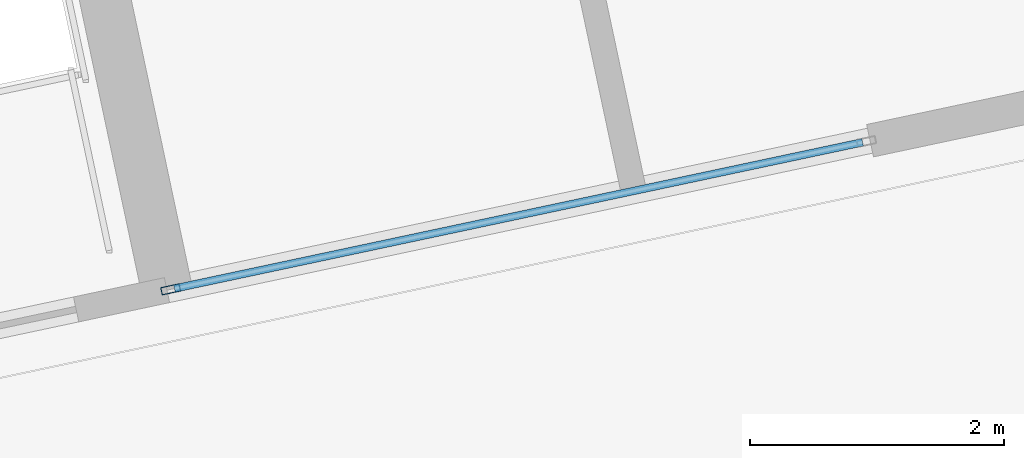
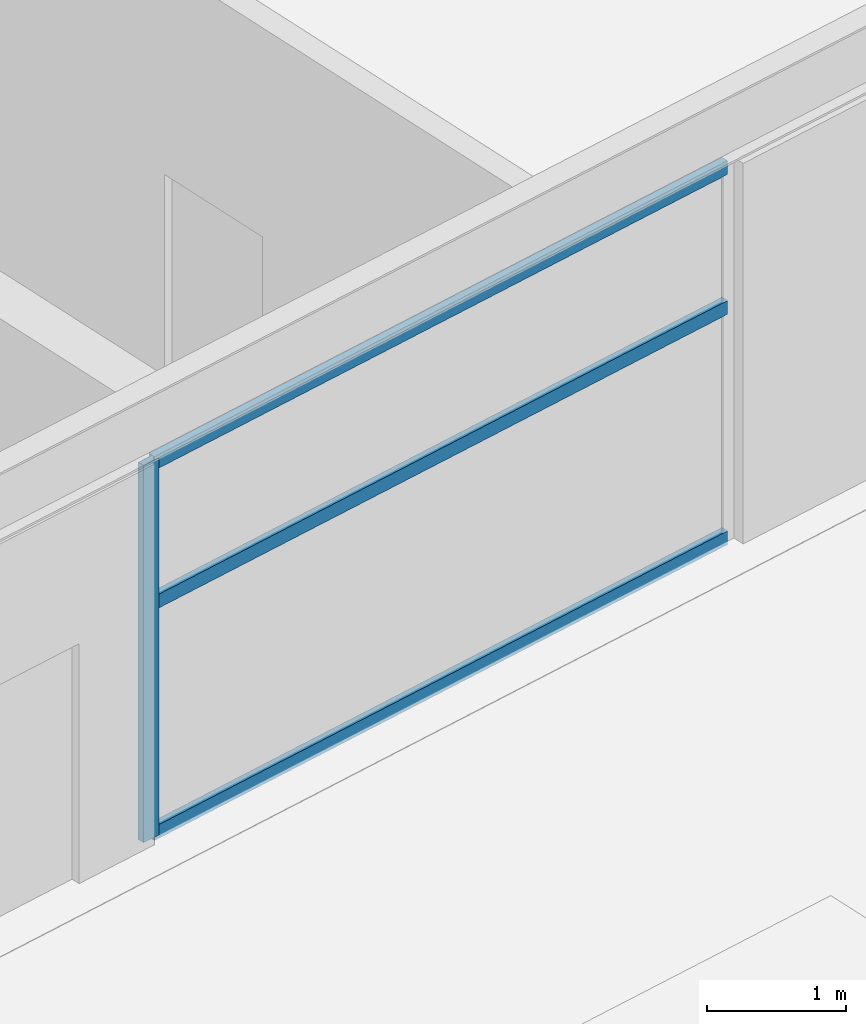
# One storey, part 4 of 16: 4 members, 1 element without a shape of its own.
"""IFC4 building model written with IfcOpenShell, lengths in metres."""

import ifcopenshell
import ifcopenshell.guid

model = None  # the IFC model being written
_history = None  # IfcOwnerHistory: only IFC2X3 demands one
_inside = {}  # id of a spatial element -> (the spatial element, [elements in it])
_under = {}  # id of a project, library or spatial element -> (it, [spatial elements below it])
_declared = {}  # id of a project -> (the project, [libraries it declares])
_typed = {}  # id of a type object -> (the type object, [elements of that type])
_made_of = {}  # id of a material, layer set ... -> (it, [elements and type objects made of it])


def new_model(schema):
    """Start an empty IFC model of exactly this schema.

    Asked for "IFC4X3", IfcOpenShell would pick the latest addendum, in which some entities
    have other attributes; the version numbers below select the first issue.
    IFC2X3 requires an IfcOwnerHistory on every rooted entity: one is made here for all.
    """
    global model, _history
    if schema == "IFC4X3":
        model = ifcopenshell.file(schema_version=(4, 3, 0, 0))
    else:
        model = ifcopenshell.file(schema=schema)
    _inside.clear()
    _under.clear()
    _declared.clear()
    _typed.clear()
    _made_of.clear()
    _history = None
    if model.schema == "IFC2X3":
        org = make("IfcOrganization", Name="unknown")
        user = make(
            "IfcPersonAndOrganization",
            ThePerson=make("IfcPerson", FamilyName="unknown"),
            TheOrganization=org,
        )
        app = make(
            "IfcApplication",
            ApplicationDeveloper=org,
            Version="unknown",
            ApplicationFullName="unknown",
            ApplicationIdentifier="unknown",
        )
        _history = make(
            "IfcOwnerHistory",
            OwningUser=user,
            OwningApplication=app,
            ChangeAction="ADDED",
            CreationDate=0,
        )
    return model


def make(cls, **values):
    """One entity of the class cls with the attributes given. An attribute that is None is left unset."""
    return model.create_entity(
        cls, **{name: value for name, value in values.items() if value is not None}
    )


def rooted(cls, **values):
    """An entity with a GlobalId (a new one), such as an element, a storey or a relation."""
    return make(cls, GlobalId=ifcopenshell.guid.new(), OwnerHistory=_history, **values)


def si_unit(unit_type, name, prefix=None):
    """IfcSIUnit, for example si_unit("LENGTHUNIT", "METRE", prefix="MILLI")."""
    return make("IfcSIUnit", UnitType=unit_type, Prefix=prefix, Name=name)


def assignment(units):
    """IfcUnitAssignment: the units of a project."""
    return None if units is None else make("IfcUnitAssignment", Units=units)


def point(xyz):
    """IfcCartesianPoint."""
    return None if xyz is None else make("IfcCartesianPoint", Coordinates=xyz)


def direction(xyz):
    """IfcDirection."""
    return None if xyz is None else make("IfcDirection", DirectionRatios=xyz)


def frame(location, z_axis=None, x_axis=None):
    """IfcAxis2Placement3D, a coordinate frame: its origin and axes. An axis left out is left unset."""
    return make(
        "IfcAxis2Placement3D",
        Location=point(location),
        Axis=direction(z_axis),
        RefDirection=direction(x_axis),
    )


def frame_2d(location, x_axis=None):
    """IfcAxis2Placement2D, a coordinate frame in the plane: its origin and x axis."""
    return make(
        "IfcAxis2Placement2D", Location=point(location), RefDirection=direction(x_axis)
    )


def origin():
    """The frame at (0, 0, 0) with its axes left unset."""
    return frame((0.0, 0.0, 0.0))


def origin_2d():
    """The frame at (0, 0) in the plane with its x axis left unset."""
    return frame_2d((0.0, 0.0))


def place(relative_to, where):
    """IfcLocalPlacement: puts the frame where relative to a parent placement (None: the world)."""
    return make(
        "IfcLocalPlacement", PlacementRelTo=relative_to, RelativePlacement=where
    )


def context(
    kind, dimensions, precision=None, world=None, true_north=None, identifier=None
):
    """IfcGeometricRepresentationContext, for example the 3D "Model" context."""
    return make(
        "IfcGeometricRepresentationContext",
        ContextIdentifier=identifier,
        ContextType=kind,
        CoordinateSpaceDimension=dimensions,
        Precision=precision,
        WorldCoordinateSystem=world,
        TrueNorth=true_north,
    )


def subcontext(parent, identifier, kind, view, scale=None):
    """IfcGeometricRepresentationSubContext, for example "Body" below "Model"."""
    return make(
        "IfcGeometricRepresentationSubContext",
        ContextIdentifier=identifier,
        ContextType=kind,
        ParentContext=parent,
        TargetScale=scale,
        TargetView=view,
    )


def project(units=None, contexts=None):
    """IfcProject with its units and contexts."""
    return rooted(
        "IfcProject",
        Name="project",
        RepresentationContexts=contexts,
        UnitsInContext=assignment(units),
    )


def spatial(cls, under=None, at=None, **own):
    """A site, building, storey or space (cls), placed at a placement, below another one or the project."""
    s = rooted(cls, ObjectPlacement=at, **own)
    if under is not None:
        _under.setdefault(under.id(), (under, []))[1].append(s)
    return s


def profile(cls, at=None, kind="AREA", **sizes):
    """A parametric profile (cls). Its sizes go by their IFC names, for example OverallWidth=200.0."""
    return make(cls, ProfileType=kind, Position=at, **sizes)


def hollow_rectangle(**sizes):
    """IfcRectangleHollowProfileDef."""
    return profile("IfcRectangleHollowProfileDef", **sizes)


def extrude(swept, where, along, depth):
    """IfcExtrudedAreaSolid: the profile swept, set in the frame where, extruded along a direction by depth."""
    return make(
        "IfcExtrudedAreaSolid",
        SweptArea=swept,
        Position=where,
        ExtrudedDirection=direction(along),
        Depth=depth,
    )


def shape(context_of_items, identifier, shape_type, items):
    """IfcShapeRepresentation: the items that make up one representation, for example the "Body"."""
    return make(
        "IfcShapeRepresentation",
        ContextOfItems=context_of_items,
        RepresentationIdentifier=identifier,
        RepresentationType=shape_type,
        Items=items,
    )


def material(Name=None, Category=None):
    """IfcMaterial."""
    return make("IfcMaterial", Name=Name, Category=Category)


def layer(
    of_material, thickness, ventilated=None, Name=None, Category=None, Priority=None
):
    """IfcMaterialLayer: one layer of a wall or slab, of a material (None: an air gap)."""
    return make(
        "IfcMaterialLayer",
        Material=of_material,
        LayerThickness=thickness,
        IsVentilated=ventilated,
        Name=Name,
        Category=Category,
        Priority=Priority,
    )


def layer_set(layers, Name=None):
    """IfcMaterialLayerSet."""
    return make("IfcMaterialLayerSet", MaterialLayers=layers, LayerSetName=Name)


def material_profile(
    of_material, cross_section, Name=None, Category=None, Priority=None
):
    """IfcMaterialProfile: a cross section and its material."""
    return make(
        "IfcMaterialProfile",
        Name=Name,
        Material=of_material,
        Profile=cross_section,
        Priority=Priority,
        Category=Category,
    )


def profile_set(profiles, Name=None, composite=None):
    """IfcMaterialProfileSet."""
    return make(
        "IfcMaterialProfileSet",
        Name=Name,
        MaterialProfiles=profiles,
        CompositeProfile=composite,
    )


def made_of(thing, what):
    """Note that an element or type object is made of a material, layer set ...; save() writes the relation."""
    if what is not None:
        _made_of.setdefault(what.id(), (what, []))[1].append(thing)
    return thing


def type_object(cls, material=None, **own):
    """A type object (cls), such as IfcWallType, which elements share."""
    return made_of(rooted(cls, **own), material)


def element(
    cls,
    number,
    at=None,
    inside=None,
    cuts=None,
    type_object=None,
    material=None,
    context=None,
    identifier="Body",
    shape_type=None,
    held_by="IfcProductDefinitionShape",
    body=None,
    shapes=None,
    **own,
):
    """One element of the class cls, such as IfcWall. Its Tag is "e" and its number.

    at: its placement. inside: the storey or other place that contains it. cuts: it is an
    opening in that element (IfcRelVoidsElement). A single representation is given by context,
    identifier, shape_type and body (its items); several are given by shapes. held_by: the class
    of the entity that holds the representations. save() writes the other relations.
    """
    e = rooted(cls, Tag="e%d" % number, ObjectPlacement=at, **own)
    if body is not None:
        shapes = [shape(context, identifier, shape_type, body)]
    if shapes is not None:
        e.Representation = make(held_by, Representations=shapes)
    if inside is not None:
        _inside.setdefault(inside.id(), (inside, []))[1].append(e)
    if cuts is not None:
        rooted(
            "IfcRelVoidsElement", RelatingBuildingElement=cuts, RelatedOpeningElement=e
        )
    if type_object is not None:
        _typed.setdefault(type_object.id(), (type_object, []))[1].append(e)
    return made_of(e, material)


def aggregate(whole, parts):
    """IfcRelAggregates: a whole, such as a stair, and the parts it consists of."""
    return rooted("IfcRelAggregates", RelatingObject=whole, RelatedObjects=parts)


def save(model, path):
    """Write the relations noted so far, then the file.

    IfcRelAggregates (storeys below a building ...), IfcRelContainedInSpatialStructure (elements
    in a storey), IfcRelDefinesByType, IfcRelAssociatesMaterial and IfcRelDeclares: one each for
    every whole, place, type object, material and project.
    """
    for whole, parts in _under.values():
        aggregate(whole, parts)
    for where, things in _inside.values():
        rooted(
            "IfcRelContainedInSpatialStructure",
            RelatedElements=things,
            RelatingStructure=where,
        )
    for kind, things in _typed.values():
        rooted("IfcRelDefinesByType", RelatedObjects=things, RelatingType=kind)
    for what, things in _made_of.values():
        rooted("IfcRelAssociatesMaterial", RelatedObjects=things, RelatingMaterial=what)
    for by, libraries in _declared.values():
        rooted("IfcRelDeclares", RelatingContext=by, RelatedDefinitions=libraries)
    model.write(path)


model = new_model("IFC4")

# Units and contexts
model_context = context("Model", 3, precision=1e-05, world=origin(), true_north=direction((0.0, 1.0)))
body_context = subcontext(model_context, "Body", "Model", "MODEL_VIEW")
ifc_project = project(units=[si_unit("LENGTHUNIT", "METRE"), si_unit("AREAUNIT", "SQUARE_METRE"), si_unit("VOLUMEUNIT", "CUBIC_METRE"), si_unit("PLANEANGLEUNIT", "RADIAN"), si_unit("MASSUNIT", "GRAM", prefix="KILO")], contexts=[model_context])

# Site, building, storey
site_placement = place(None, origin())
site = spatial("IfcSite", under=ifc_project, at=site_placement, CompositionType="ELEMENT")
building_placement = place(site_placement, origin())
building = spatial("IfcBuilding", under=site, at=building_placement, Name="Haevon Station Towers", CompositionType="ELEMENT")
storey_placement = place(building_placement, frame((0.0, 0.0, 235.199951171875)))
storey = spatial("IfcBuildingStorey", under=building, at=storey_placement, Name="L65", CompositionType="ELEMENT", Elevation=235.199951171875)

# Curtain wall, members
ifc_material_1 = material(Name="Anodised aluminium and Low-E double glazing", Category="aluminium")
ifc_layer = layer(ifc_material_1, 0.179931640625)
ifc_layer_set = layer_set([ifc_layer], Name="Anodised aluminium and Low-E double glazing")
curtain_wall_type = type_object("IfcCurtainWallType", Name="CW-SYS5", PredefinedType="NOTDEFINED", material=ifc_layer_set)
curtain_wall_placement = place(storey_placement, origin())
curtain_wall = element("IfcCurtainWall", 1, at=curtain_wall_placement, inside=storey, type_object=curtain_wall_type, Name="L65 Curtain Wall CW-T2-L65-HH", PredefinedType="NOTDEFINED")
ifc_material_2 = material(Name="Anodised aluminium 6063-T6", Category="aluminium")
ifc_material_profile_1 = material_profile(ifc_material_2, hollow_rectangle(XDim=0.06005859375, YDim=0.14990234375, WallThickness=0.00341796875, at=origin_2d()), Name="CWM-150x60x3.5")
ifc_profile_set_1 = profile_set([ifc_material_profile_1], Name="Anodised aluminium 6063-T6")
member_type_1 = type_object("IfcMemberType", Name="CWM-150", PredefinedType="MULLION", material=ifc_profile_set_1)
member_1_placement = place(storey_placement, frame((102.547607421875, 38.2490234375, 0.0), z_axis=(0.0, 0.0, 1.0), x_axis=(0.207911679806, -0.978147603074, 0.0)))
member_1 = element("IfcMember", 2, at=member_1_placement, type_object=member_type_1, Name="CW-SYS5 mullion 2", PredefinedType="MULLION", context=body_context, shape_type="SweptSolid", body=[
    extrude(hollow_rectangle(XDim=0.06005859375, YDim=0.14990234375, WallThickness=0.00341796875, at=origin_2d()), origin(), (0.0, 0.0, 1.0), 3.300048828125),
])
ifc_material_profile_2 = material_profile(ifc_material_2, hollow_rectangle(XDim=0.06005859375, YDim=0.1201171875, WallThickness=0.0029296875, at=origin_2d()), Name="CWT-120x60x3")
ifc_profile_set_2 = profile_set([ifc_material_profile_2], Name="Anodised aluminium 6063-T6")
member_type_2 = type_object("IfcMemberType", Name="CWT-120", PredefinedType="USERDEFINED", material=ifc_profile_set_2)
member_2_placement = place(storey_placement, frame((107.986083984375, 39.405029296875, 0.030029296875), z_axis=(-0.978151220492, -0.207894660466, 0.0), x_axis=(0.207894660466, -0.978151220492, 0.0)))
member_2 = element("IfcMember", 3, at=member_2_placement, type_object=member_type_2, Name="CW-SYS5 transom 1.1", ObjectType="TRANSOM", PredefinedType="USERDEFINED", context=body_context, shape_type="SweptSolid", body=[
    extrude(hollow_rectangle(XDim=0.06005859375, YDim=0.1201171875, WallThickness=0.0029296875, at=origin_2d()), origin(), (0.0, 0.0, 1.0), 5.530029296875),
])
member_3_placement = place(storey_placement, frame((107.986083984375, 39.405029296875, 2.046142578125), z_axis=(-0.978151220492, -0.207894660466, 0.0), x_axis=(0.207894660466, -0.978151220492, 0.0)))
member_3 = element("IfcMember", 4, at=member_3_placement, type_object=member_type_2, Name="CW-SYS5 transom 1.2", ObjectType="TRANSOM", PredefinedType="USERDEFINED", context=body_context, shape_type="SweptSolid", body=[
    extrude(hollow_rectangle(XDim=0.06005859375, YDim=0.1201171875, WallThickness=0.0029296875, at=origin_2d()), origin(), (0.0, 0.0, 1.0), 5.530029296875),
])
member_4_placement = place(storey_placement, frame((107.986083984375, 39.405029296875, 3.27001953125), z_axis=(-0.978151220492, -0.207894660466, 0.0), x_axis=(0.207894660466, -0.978151220492, 0.0)))
member_4 = element("IfcMember", 5, at=member_4_placement, type_object=member_type_2, Name="CW-SYS5 transom 1.3", ObjectType="TRANSOM", PredefinedType="USERDEFINED", context=body_context, shape_type="SweptSolid", body=[
    extrude(hollow_rectangle(XDim=0.06005859375, YDim=0.1201171875, WallThickness=0.0029296875, at=origin_2d()), origin(), (0.0, 0.0, 1.0), 5.530029296875),
])
aggregate(curtain_wall, [member_1, member_2, member_3, member_4])

save(model, "model.ifc")
